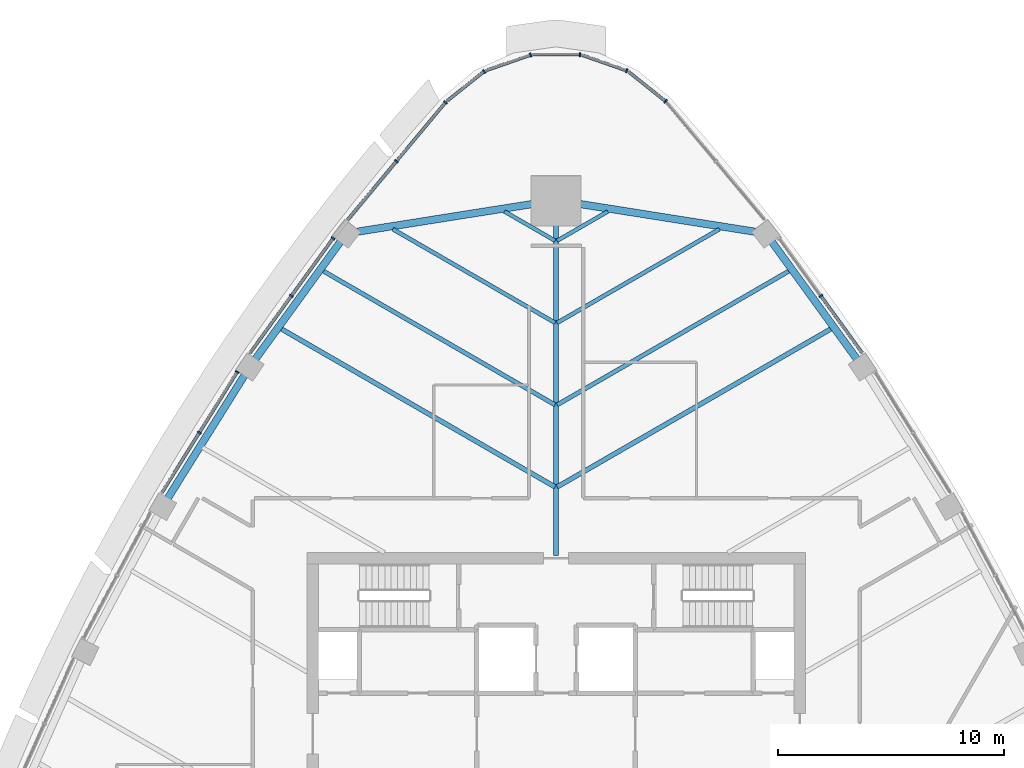
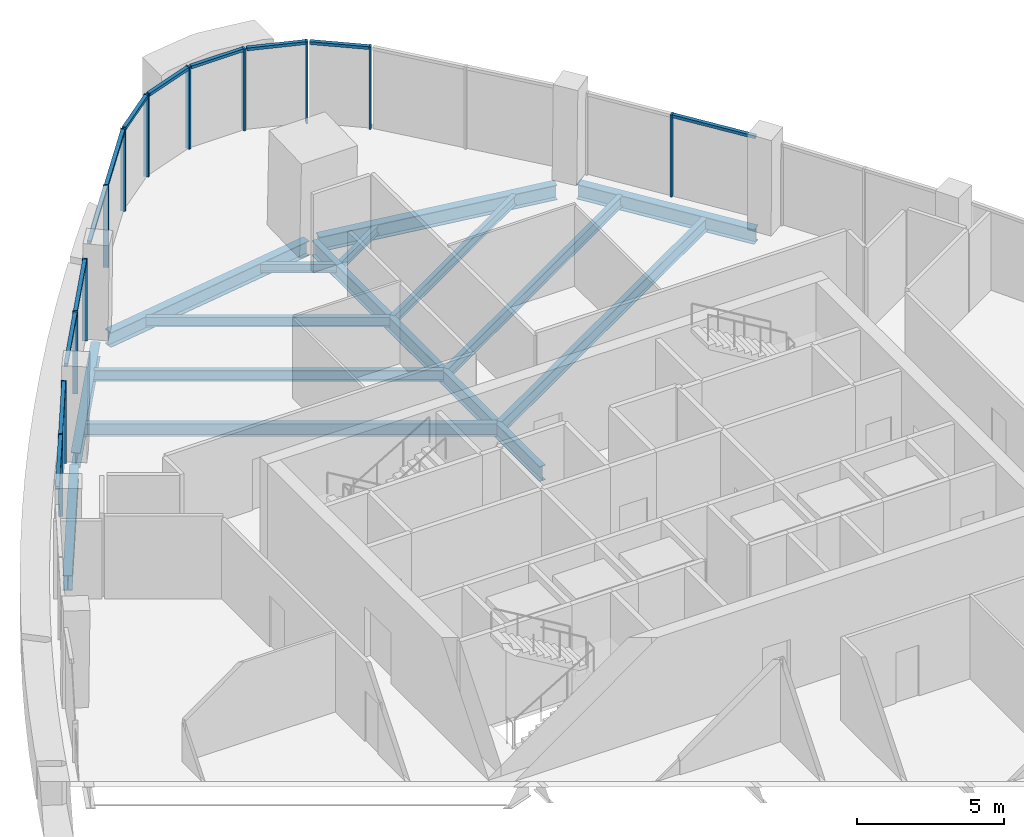
# One storey, part 5 of 15: 24 members, 14 beams, 9 elements without a shape of their own.
"""IFC4 building model written with IfcOpenShell, lengths in metres."""

from ifc_helpers import new_model, si_unit, direction, frame, origin, origin_2d, place, context, subcontext, project, spatial, rectangle, i_section, extrude, material, layer, layer_set, material_profile, profile_set, type_object, element, aggregate, save


model = new_model("IFC4")

# Units and contexts
model_context = context("Model", 3, precision=1e-05, world=origin(), true_north=direction((0.0, 1.0)))
body_context = subcontext(model_context, "Body", "Model", "MODEL_VIEW")
ifc_project = project(units=[si_unit("LENGTHUNIT", "METRE"), si_unit("AREAUNIT", "SQUARE_METRE"), si_unit("VOLUMEUNIT", "CUBIC_METRE"), si_unit("PLANEANGLEUNIT", "RADIAN"), si_unit("MASSUNIT", "GRAM", prefix="KILO")], contexts=[model_context])

# Site, building, storey
site_placement = place(None, origin())
site = spatial("IfcSite", under=ifc_project, at=site_placement, CompositionType="ELEMENT")
building_placement = place(site_placement, origin())
building = spatial("IfcBuilding", under=site, at=building_placement, Name="Sierra Prisma Convention Tower", CompositionType="ELEMENT")
storey_placement = place(building_placement, frame((0.0, 0.0, 299.0)))
storey = spatial("IfcBuildingStorey", under=building, at=storey_placement, Name="L68", CompositionType="ELEMENT", Elevation=299.0)

# Curtain wall, member
ifc_material_1 = material(Name="Aluminium and glass curtain wall", Category="aluminium")
ifc_layer = layer(ifc_material_1, 0.179931640625)
ifc_layer_set = layer_set([ifc_layer], Name="CW-1 Plain shaft curtain wall")
curtain_wall_type = type_object("IfcCurtainWallType", Name="CW-1 Plain shaft curtain wall", PredefinedType="NOTDEFINED", material=ifc_layer_set)
curtain_wall_1_placement = place(storey_placement, origin())
curtain_wall_1 = element("IfcCurtainWall", 1, at=curtain_wall_1_placement, inside=storey, type_object=curtain_wall_type, Name="CW-1 NE5 L68", PredefinedType="NOTDEFINED")
ifc_material_2 = material(Name="Aluminium 6063-T6 bronze anodised", Category="aluminium")
ifc_material_profile_1 = material_profile(ifc_material_2, rectangle(XDim=0.179931640625, YDim=0.070068359375, at=origin_2d()), Name="ALU MULLION 70x180")
ifc_profile_set_1 = profile_set([ifc_material_profile_1], Name="Aluminium 6063-T6 bronze anodised")
member_type_1 = type_object("IfcMemberType", Name="CW mullion bronze", PredefinedType="MULLION", material=ifc_profile_set_1)
member_1_placement = place(storey_placement, frame((11.6884765625, 19.3349609375, 0.0), z_axis=(0.0, 0.0, 1.0), x_axis=(-0.809810631471, -0.586691350845, 0.0)))
member_1 = element("IfcMember", 2, at=member_1_placement, type_object=member_type_1, Name="CW-1 mullion NE5.2", PredefinedType="MULLION", context=body_context, shape_type="SweptSolid", body=[
    extrude(rectangle(XDim=0.179931640625, YDim=0.070068359375, at=origin_2d()), origin(), (0.0, 0.0, 1.0), 3.39990234375),
])

curtain_wall_2_placement = place(storey_placement, origin())
curtain_wall_2 = element("IfcCurtainWall", 3, at=curtain_wall_2_placement, inside=storey, type_object=curtain_wall_type, Name="CW-1 N1 L68", PredefinedType="NOTDEFINED")
member_2_placement = place(storey_placement, frame((4.830810546875, 27.928466796875, 0.0), z_axis=(0.0, 0.0, 1.0), x_axis=(-0.622840952225, -0.782348482603, 0.0)))
member_2 = element("IfcMember", 4, at=member_2_placement, type_object=member_type_1, Name="CW-1 mullion N1.1", PredefinedType="MULLION", context=body_context, shape_type="SweptSolid", body=[
    extrude(rectangle(XDim=0.179931640625, YDim=0.070068359375, at=origin_2d()), origin(), (0.0, 0.0, 1.0), 3.39990234375),
])

curtain_wall_3_placement = place(storey_placement, origin())
curtain_wall_3 = element("IfcCurtainWall", 5, at=curtain_wall_3_placement, inside=storey, type_object=curtain_wall_type, Name="CW-1 N2 L68", PredefinedType="NOTDEFINED")
member_3_placement = place(storey_placement, frame((3.117919921875, 29.27734375, 0.0), z_axis=(0.0, 0.0, 1.0), x_axis=(-0.329887494001, -0.944020254709, 0.0)))
member_3 = element("IfcMember", 6, at=member_3_placement, type_object=member_type_1, Name="CW-1 mullion N2.1", PredefinedType="MULLION", context=body_context, shape_type="SweptSolid", body=[
    extrude(rectangle(XDim=0.179931640625, YDim=0.070068359375, at=origin_2d()), origin(), (0.0, 0.0, 1.0), 3.39990234375),
])

curtain_wall_4_placement = place(storey_placement, origin())
curtain_wall_4 = element("IfcCurtainWall", 7, at=curtain_wall_4_placement, inside=storey, type_object=curtain_wall_type, Name="CW-1 N3 L68", PredefinedType="NOTDEFINED")
member_4_placement = place(storey_placement, frame((1.05615234375, 29.985595703125, 0.0), z_axis=(0.0, 0.0, 1.0), x_axis=(0.0, -1.0, 0.0)))
member_4 = element("IfcMember", 8, at=member_4_placement, type_object=member_type_1, Name="CW-1 mullion N3.1", PredefinedType="MULLION", context=body_context, shape_type="SweptSolid", body=[
    extrude(rectangle(XDim=0.179931640625, YDim=0.070068359375, at=origin_2d()), origin(), (0.0, 0.0, 1.0), 3.39990234375),
])

curtain_wall_5_placement = place(storey_placement, origin())
curtain_wall_5 = element("IfcCurtainWall", 9, at=curtain_wall_5_placement, inside=storey, type_object=curtain_wall_type, Name="CW-1 N4 L68", PredefinedType="NOTDEFINED")
member_5_placement = place(storey_placement, frame((-1.1240234375, 29.97412109375, 0.0), z_axis=(0.0, 0.0, 1.0), x_axis=(0.329887494001, -0.944020254709, 0.0)))
member_5 = element("IfcMember", 10, at=member_5_placement, type_object=member_type_1, Name="CW-1 mullion N4.1", PredefinedType="MULLION", context=body_context, shape_type="SweptSolid", body=[
    extrude(rectangle(XDim=0.179931640625, YDim=0.070068359375, at=origin_2d()), origin(), (0.0, 0.0, 1.0), 3.39990234375),
])

curtain_wall_6_placement = place(storey_placement, origin())
curtain_wall_6 = element("IfcCurtainWall", 11, at=curtain_wall_6_placement, inside=storey, type_object=curtain_wall_type, Name="CW-1 N5 L68", PredefinedType="NOTDEFINED")
member_6_placement = place(storey_placement, frame((-3.178466796875, 29.243896484375, 0.0), z_axis=(0.0, 0.0, 1.0), x_axis=(0.622840952225, -0.782348482603, 0.0)))
member_6 = element("IfcMember", 12, at=member_6_placement, type_object=member_type_1, Name="CW-1 mullion N5.1", PredefinedType="MULLION", context=body_context, shape_type="SweptSolid", body=[
    extrude(rectangle(XDim=0.179931640625, YDim=0.070068359375, at=origin_2d()), origin(), (0.0, 0.0, 1.0), 3.39990234375),
])

# Curtain wall, members
curtain_wall_7_placement = place(storey_placement, origin())
curtain_wall_7 = element("IfcCurtainWall", 13, at=curtain_wall_7_placement, inside=storey, type_object=curtain_wall_type, Name="CW-1 NW1 L68", PredefinedType="NOTDEFINED")
member_7_placement = place(storey_placement, frame((-4.880615234375, 27.879638671875, 0.0), z_axis=(0.0, 0.0, 1.0), x_axis=(0.767490349258, -0.641060499326, 0.0)))
member_7 = element("IfcMember", 14, at=member_7_placement, type_object=member_type_1, Name="CW-1 mullion NW1.1", PredefinedType="MULLION", context=body_context, shape_type="SweptSolid", body=[
    extrude(rectangle(XDim=0.179931640625, YDim=0.070068359375, at=origin_2d()), origin(), (0.0, 0.0, 1.0), 3.39990234375),
])
member_8_placement = place(storey_placement, frame((-7.052734375, 25.279296875, 0.0), z_axis=(0.0, 0.0, 1.0), x_axis=(0.767490349258, -0.641060499326, 0.0)))
member_8 = element("IfcMember", 15, at=member_8_placement, type_object=member_type_1, Name="CW-1 mullion NW1.2", PredefinedType="MULLION", context=body_context, shape_type="SweptSolid", body=[
    extrude(rectangle(XDim=0.179931640625, YDim=0.070068359375, at=origin_2d()), origin(), (0.0, 0.0, 1.0), 3.39990234375),
])

curtain_wall_8_placement = place(storey_placement, origin())
curtain_wall_8 = element("IfcCurtainWall", 16, at=curtain_wall_8_placement, inside=storey, type_object=curtain_wall_type, Name="CW-1 NW2 L68", PredefinedType="NOTDEFINED")
member_9_placement = place(storey_placement, frame((-9.845947265625, 21.87841796875, 0.0), z_axis=(0.0, 0.0, 1.0), x_axis=(0.809810631471, -0.586691350845, 0.0)))
member_9 = element("IfcMember", 17, at=member_9_placement, type_object=member_type_1, Name="CW-1 mullion NW2.1", PredefinedType="MULLION", context=body_context, shape_type="SweptSolid", body=[
    extrude(rectangle(XDim=0.179931640625, YDim=0.070068359375, at=origin_2d()), origin(), (0.0, 0.0, 1.0), 3.39990234375),
])
member_10_placement = place(storey_placement, frame((-11.68896484375, 19.334228515625, 0.0), z_axis=(0.0, 0.0, 1.0), x_axis=(0.809810631471, -0.586691350845, 0.0)))
member_10 = element("IfcMember", 18, at=member_10_placement, type_object=member_type_1, Name="CW-1 mullion NW2.2", PredefinedType="MULLION", context=body_context, shape_type="SweptSolid", body=[
    extrude(rectangle(XDim=0.179931640625, YDim=0.070068359375, at=origin_2d()), origin(), (0.0, 0.0, 1.0), 3.39990234375),
])

curtain_wall_9_placement = place(storey_placement, origin())
curtain_wall_9 = element("IfcCurtainWall", 19, at=curtain_wall_9_placement, inside=storey, type_object=curtain_wall_type, Name="CW-1 NW3 L68", PredefinedType="NOTDEFINED")
member_11_placement = place(storey_placement, frame((-14.079833984375, 15.975830078125, 0.0), z_axis=(0.0, 0.0, 1.0), x_axis=(0.848286734038, -0.529537172307, 0.0)))
member_11 = element("IfcMember", 20, at=member_11_placement, type_object=member_type_1, Name="CW-1 mullion NW3.1", PredefinedType="MULLION", context=body_context, shape_type="SweptSolid", body=[
    extrude(rectangle(XDim=0.179931640625, YDim=0.070068359375, at=origin_2d()), origin(), (0.0, 0.0, 1.0), 3.39990234375),
])
member_12_placement = place(storey_placement, frame((-15.751708984375, 13.297607421875, 0.0), z_axis=(0.0, 0.0, 1.0), x_axis=(0.848286734038, -0.529537172307, 0.0)))
member_12 = element("IfcMember", 21, at=member_12_placement, type_object=member_type_1, Name="CW-1 mullion NW3.2", PredefinedType="MULLION", context=body_context, shape_type="SweptSolid", body=[
    extrude(rectangle(XDim=0.179931640625, YDim=0.070068359375, at=origin_2d()), origin(), (0.0, 0.0, 1.0), 3.39990234375),
])

# Member
ifc_material_3 = material(Name="Aluminium 6063-T6 bronze anodised", Category="aluminium")
ifc_material_profile_2 = material_profile(ifc_material_3, rectangle(XDim=0.139892578125, YDim=0.1201171875, at=origin_2d()), Name="ALU TRANSOM 120x140")
ifc_profile_set_2 = profile_set([ifc_material_profile_2], Name="Aluminium 6063-T6 bronze anodised")
member_type_2 = type_object("IfcMemberType", Name="CW transom bronze", PredefinedType="USERDEFINED", material=ifc_profile_set_2)
member_13_placement = place(storey_placement, frame((13.511474609375, 16.818603515625, 3.340087890625), z_axis=(-0.586682363305, 0.809817142685, 0.0), x_axis=(-0.809817142685, -0.586682363305, 0.0)))
member_13 = element("IfcMember", 22, at=member_13_placement, type_object=member_type_2, Name="CW-1 transom NE5.1", ObjectType="TRANSOM", PredefinedType="USERDEFINED", context=body_context, shape_type="SweptSolid", body=[
    extrude(rectangle(XDim=0.139892578125, YDim=0.1201171875, at=origin_2d()), origin(), (0.0, 0.0, 1.0), 3.072265625),
])

aggregate(curtain_wall_1, [member_1, member_13])

member_14_placement = place(storey_placement, frame((4.803466796875, 27.9501953125, 3.340087890625), z_axis=(-0.782336240884, 0.622856328699, 0.0), x_axis=(-0.622856328699, -0.782336240884, 0.0)))
member_14 = element("IfcMember", 23, at=member_14_placement, type_object=member_type_2, Name="CW-1 transom N1.1", ObjectType="TRANSOM", PredefinedType="USERDEFINED", context=body_context, shape_type="SweptSolid", body=[
    extrude(rectangle(XDim=0.139892578125, YDim=0.1201171875, at=origin_2d()), origin(), (0.0, 0.0, 1.0), 2.042236328125),
])

aggregate(curtain_wall_2, [member_2, member_14])

member_15_placement = place(storey_placement, frame((3.0849609375, 29.288818359375, 3.340087890625), z_axis=(-0.944029711009, 0.329860432203, 0.0), x_axis=(-0.329860432203, -0.944029711009, 0.0)))
member_15 = element("IfcMember", 24, at=member_15_placement, type_object=member_type_2, Name="CW-1 transom N2.1", ObjectType="TRANSOM", PredefinedType="USERDEFINED", context=body_context, shape_type="SweptSolid", body=[
    extrude(rectangle(XDim=0.139892578125, YDim=0.1201171875, at=origin_2d()), origin(), (0.0, 0.0, 1.0), 2.0419921875),
])

aggregate(curtain_wall_3, [member_3, member_15])

member_16_placement = place(storey_placement, frame((1.02099609375, 29.985595703125, 3.340087890625), z_axis=(-1.0, 0.0, 0.0), x_axis=(0.0, -1.0, 0.0)))
member_16 = element("IfcMember", 25, at=member_16_placement, type_object=member_type_2, Name="CW-1 transom N3.1", ObjectType="TRANSOM", PredefinedType="USERDEFINED", context=body_context, shape_type="SweptSolid", body=[
    extrude(rectangle(XDim=0.139892578125, YDim=0.1201171875, at=origin_2d()), origin(), (0.0, 0.0, 1.0), 2.0419921875),
])

aggregate(curtain_wall_4, [member_4, member_16])

member_17_placement = place(storey_placement, frame((-1.1572265625, 29.96240234375, 3.340087890625), z_axis=(-0.944029711009, -0.329860432203, 0.0), x_axis=(0.329860432203, -0.944029711009, 0.0)))
member_17 = element("IfcMember", 26, at=member_17_placement, type_object=member_type_2, Name="CW-1 transom N4.1", ObjectType="TRANSOM", PredefinedType="USERDEFINED", context=body_context, shape_type="SweptSolid", body=[
    extrude(rectangle(XDim=0.139892578125, YDim=0.1201171875, at=origin_2d()), origin(), (0.0, 0.0, 1.0), 2.0419921875),
])

aggregate(curtain_wall_5, [member_5, member_17])

member_18_placement = place(storey_placement, frame((-3.205810546875, 29.22216796875, 3.340087890625), z_axis=(-0.782336240884, -0.622856328699, 0.0), x_axis=(0.622856328699, -0.782336240884, 0.0)))
member_18 = element("IfcMember", 27, at=member_18_placement, type_object=member_type_2, Name="CW-1 transom N5.1", ObjectType="TRANSOM", PredefinedType="USERDEFINED", context=body_context, shape_type="SweptSolid", body=[
    extrude(rectangle(XDim=0.139892578125, YDim=0.1201171875, at=origin_2d()), origin(), (0.0, 0.0, 1.0), 2.042236328125),
])

aggregate(curtain_wall_6, [member_6, member_18])

member_19_placement = place(storey_placement, frame((-4.903076171875, 27.852783203125, 3.340087890625), z_axis=(-0.641074127819, -0.767478965601, 0.0), x_axis=(0.767478965601, -0.641074127819, 0.0)))
member_19 = element("IfcMember", 28, at=member_19_placement, type_object=member_type_2, Name="CW-1 transom NW1.1", ObjectType="TRANSOM", PredefinedType="USERDEFINED", context=body_context, shape_type="SweptSolid", body=[
    extrude(rectangle(XDim=0.139892578125, YDim=0.1201171875, at=origin_2d()), origin(), (0.0, 0.0, 1.0), 3.318115234375),
])

member_20_placement = place(storey_placement, frame((-7.0751953125, 25.25244140625, 3.340087890625), z_axis=(-0.641037928592, -0.767509201317, 0.0), x_axis=(0.767509201317, -0.641037928592, 0.0)))
member_20 = element("IfcMember", 29, at=member_20_placement, type_object=member_type_2, Name="CW-1 transom NW1.2", ObjectType="TRANSOM", PredefinedType="USERDEFINED", context=body_context, shape_type="SweptSolid", body=[
    extrude(rectangle(XDim=0.139892578125, YDim=0.1201171875, at=origin_2d()), origin(), (0.0, 0.0, 1.0), 3.318359375),
])

aggregate(curtain_wall_7, [member_7, member_8, member_19, member_20])

member_21_placement = place(storey_placement, frame((-9.866455078125, 21.85009765625, 3.340087890625), z_axis=(-0.586653638548, -0.809837951925, 0.0), x_axis=(0.809837951925, -0.586653638548, 0.0)))
member_21 = element("IfcMember", 30, at=member_21_placement, type_object=member_type_2, Name="CW-1 transom NW2.1", ObjectType="TRANSOM", PredefinedType="USERDEFINED", context=body_context, shape_type="SweptSolid", body=[
    extrude(rectangle(XDim=0.139892578125, YDim=0.1201171875, at=origin_2d()), origin(), (0.0, 0.0, 1.0), 3.07177734375),
])

member_22_placement = place(storey_placement, frame((-11.70947265625, 19.305908203125, 3.340087890625), z_axis=(-0.586691401599, -0.809810594701, 0.0), x_axis=(0.809810594701, -0.586691401599, 0.0)))
member_22 = element("IfcMember", 31, at=member_22_placement, type_object=member_type_2, Name="CW-1 transom NW2.2", ObjectType="TRANSOM", PredefinedType="USERDEFINED", context=body_context, shape_type="SweptSolid", body=[
    extrude(rectangle(XDim=0.139892578125, YDim=0.1201171875, at=origin_2d()), origin(), (0.0, 0.0, 1.0), 3.071533203125),
])

aggregate(curtain_wall_8, [member_9, member_10, member_21, member_22])

member_23_placement = place(storey_placement, frame((-14.098388671875, 15.9462890625, 3.340087890625), z_axis=(-0.529522596713, -0.848295832578, 0.0), x_axis=(0.848295832578, -0.529522596713, 0.0)))
member_23 = element("IfcMember", 32, at=member_23_placement, type_object=member_type_2, Name="CW-1 transom NW3.1", ObjectType="TRANSOM", PredefinedType="USERDEFINED", context=body_context, shape_type="SweptSolid", body=[
    extrude(rectangle(XDim=0.139892578125, YDim=0.1201171875, at=origin_2d()), origin(), (0.0, 0.0, 1.0), 3.087158203125),
])

member_24_placement = place(storey_placement, frame((-15.770263671875, 13.267822265625, 3.340087890625), z_axis=(-0.529579499881, -0.848260309873, 0.0), x_axis=(0.848260309873, -0.529579499881, 0.0)))
member_24 = element("IfcMember", 33, at=member_24_placement, type_object=member_type_2, Name="CW-1 transom NW3.2", ObjectType="TRANSOM", PredefinedType="USERDEFINED", context=body_context, shape_type="SweptSolid", body=[
    extrude(rectangle(XDim=0.139892578125, YDim=0.1201171875, at=origin_2d()), origin(), (0.0, 0.0, 1.0), 3.08740234375),
])

aggregate(curtain_wall_9, [member_11, member_12, member_23, member_24])

# Beams
ifc_material_4 = material(Name="Steel ASTM A992 Gr 50", Category="steel")
ifc_material_profile_3 = material_profile(ifc_material_4, i_section(OverallWidth=0.172119140625, OverallDepth=0.35791015625, WebThickness=0.0078125, FlangeThickness=0.01318359375, at=origin_2d()), Name="W360x57")
ifc_profile_set_3 = profile_set([ifc_material_profile_3], Name="Steel ASTM A992 Gr 50")
beam_type_1 = type_object("IfcBeamType", Name="Floor joist W360x57", PredefinedType="JOIST", material=ifc_profile_set_3)
for number, where, z_axis, x_axis, name in (
    (34, (2.283203125, 23.062255859375, -0.3291015625), (-0.866018769109, -0.500011491418, 0.0), (0.500011491418, -0.866018769109, 0.0), "Floor joist L68 NE13"),
    (35, (-2.283203125, 23.062255859375, -0.3291015625), (0.866018769109, -0.500011491418, 0.0), (0.500011491418, 0.866018769109, 0.0), "Floor joist L68 NW01"),
):
    element("IfcBeam", number, at=place(storey_placement, frame(where, z_axis=z_axis, x_axis=x_axis)), inside=storey, type_object=beam_type_1, Name=name, PredefinedType="JOIST", context=body_context, shape_type="SweptSolid", body=[
        extrude(i_section(OverallWidth=0.172119140625, OverallDepth=0.35791015625, WebThickness=0.0078125, FlangeThickness=0.01318359375, at=origin_2d()), origin(), (0.0, 0.0, 1.0), 2.58349609375),
    ])
ifc_material_5 = material(Name="Steel ASTM A992 Gr 50", Category="steel")
ifc_material_profile_4 = material_profile(ifc_material_5, i_section(OverallWidth=0.177978515625, OverallDepth=0.406982421875, WebThickness=0.0078125, FlangeThickness=0.0126953125, at=origin_2d()), Name="W410x60")
ifc_profile_set_4 = profile_set([ifc_material_profile_4], Name="Steel ASTM A992 Gr 50")
beam_type_2 = type_object("IfcBeamType", Name="Floor joist W410x60", PredefinedType="JOIST", material=ifc_profile_set_4)
for number, where, z_axis, x_axis, name in (
    (36, (7.21044921875, 22.282958984375, -0.353515625), (-0.866024394272, -0.500001748523, 0.0), (0.500001748523, -0.866024394272, 0.0), "Floor joist L68 NE12"),
    (37, (-7.21044921875, 22.282958984375, -0.353515625), (0.866024394272, -0.500001748523, 0.0), (0.500001748523, 0.866024394272, 0.0), "Floor joist L68 NW02"),
):
    element("IfcBeam", number, at=place(storey_placement, frame(where, z_axis=z_axis, x_axis=x_axis)), inside=storey, type_object=beam_type_2, Name=name, PredefinedType="JOIST", context=body_context, shape_type="SweptSolid", body=[
        extrude(i_section(OverallWidth=0.177978515625, OverallDepth=0.406982421875, WebThickness=0.0078125, FlangeThickness=0.0126953125, at=origin_2d()), origin(), (0.0, 0.0, 1.0), 8.27294921875),
    ])
ifc_material_6 = material(Name="Steel ASTM A992 Gr 50", Category="steel")
ifc_material_profile_5 = material_profile(ifc_material_6, i_section(OverallWidth=0.18994140625, OverallDepth=0.45703125, WebThickness=0.009033203125, FlangeThickness=0.014404296875, at=origin_2d()), Name="W460x74")
ifc_profile_set_5 = profile_set([ifc_material_profile_5], Name="Steel ASTM A992 Gr 50")
beam_type_3 = type_object("IfcBeamType", Name="Floor joist W460x74", PredefinedType="JOIST", material=ifc_profile_set_5)
for number, where, z_axis, x_axis, name in (
    (38, (10.310546875, 20.44873046875, -0.37841796875), (-0.866026426978, -0.499998227772, 0.0), (0.499998227772, -0.866026426978, 0.0), "Floor joist L68 NE11"),
    (39, (-10.310546875, 20.44873046875, -0.37841796875), (0.866026426978, -0.499998227772, 0.0), (0.499998227772, 0.866026426978, 0.0), "Floor joist L68 NW03"),
):
    element("IfcBeam", number, at=place(storey_placement, frame(where, z_axis=z_axis, x_axis=x_axis)), inside=storey, type_object=beam_type_3, Name=name, PredefinedType="JOIST", context=body_context, shape_type="SweptSolid", body=[
        extrude(i_section(OverallWidth=0.18994140625, OverallDepth=0.45703125, WebThickness=0.009033203125, FlangeThickness=0.014404296875, at=origin_2d()), origin(), (0.0, 0.0, 1.0), 11.8525390625),
    ])
ifc_material_7 = material(Name="Steel ASTM A992 Gr 50", Category="steel")
ifc_material_profile_6 = material_profile(ifc_material_7, i_section(OverallWidth=0.208984375, OverallDepth=0.532958984375, WebThickness=0.01025390625, FlangeThickness=0.015625, at=origin_2d()), Name="W530x92")
ifc_profile_set_6 = profile_set([ifc_material_profile_6], Name="Steel ASTM A992 Gr 50")
beam_type_4 = type_object("IfcBeamType", Name="Floor joist W530x92", PredefinedType="JOIST", material=ifc_profile_set_6)
for number, where, z_axis, x_axis, name in (
    (40, (12.16162109375, 17.8935546875, -0.41650390625), (-0.866029820249, -0.49999235038, 0.0), (0.49999235038, -0.866029820249, 0.0), "Floor joist L68 NE10"),
    (41, (-12.16162109375, 17.8935546875, -0.41650390625), (0.866029820249, -0.49999235038, 0.0), (0.49999235038, 0.866029820249, 0.0), "Floor joist L68 NW04"),
):
    element("IfcBeam", number, at=place(storey_placement, frame(where, z_axis=z_axis, x_axis=x_axis)), inside=storey, type_object=beam_type_4, Name=name, PredefinedType="JOIST", context=body_context, shape_type="SweptSolid", body=[
        extrude(i_section(OverallWidth=0.208984375, OverallDepth=0.532958984375, WebThickness=0.01025390625, FlangeThickness=0.015625, at=origin_2d()), origin(), (0.0, 0.0, 1.0), 13.989990234375),
    ])
ifc_material_8 = material(Name="Steel ASTM A992 Gr 50", Category="steel")
ifc_material_profile_7 = material_profile(ifc_material_8, i_section(OverallWidth=0.22998046875, OverallDepth=0.616943359375, WebThickness=0.01318359375, FlangeThickness=0.022216796875, at=origin_2d()), Name="W610x140")
ifc_profile_set_7 = profile_set([ifc_material_profile_7], Name="Steel ASTM A992 Gr 50")
beam_type_5 = type_object("IfcBeamType", Name="Radial girder W610x140", PredefinedType="BEAM", material=ifc_profile_set_7)
beam_1_placement = place(storey_placement, frame((0.0, 23.3359375, -0.45849609375), z_axis=(0.0, -1.0, 0.0), x_axis=(1.0, 0.0, 0.0)))
element("IfcBeam", 42, at=beam_1_placement, inside=storey, type_object=beam_type_5, Name="Radial girder L68 N", PredefinedType="BEAM", context=body_context, shape_type="SweptSolid", body=[
    extrude(i_section(OverallWidth=0.22998046875, OverallDepth=0.616943359375, WebThickness=0.01318359375, FlangeThickness=0.022216796875, at=origin_2d()), origin(), (0.0, 0.0, 1.0), 15.4560546875),
])
ifc_material_9 = material(Name="Steel ASTM A992 Gr 50", Category="steel")
ifc_material_profile_8 = material_profile(ifc_material_9, i_section(OverallWidth=0.324951171875, OverallDepth=0.615966796875, WebThickness=0.013916015625, FlangeThickness=0.021484375, at=origin_2d()), Name="W610x174")
ifc_profile_set_8 = profile_set([ifc_material_profile_8], Name="Steel ASTM A992 Gr 50")
beam_type_6 = type_object("IfcBeamType", Name="Spandrel beam W610x174", PredefinedType="BEAM", material=ifc_profile_set_8)
beam_2_placement = place(storey_placement, frame((13.33251953125, 16.469482421875, -0.4580078125), z_axis=(-0.586684366357, 0.809815691545, 0.0), x_axis=(-0.809815691545, -0.586684366357, 0.0)))
element("IfcBeam", 43, at=beam_2_placement, inside=storey, type_object=beam_type_6, Name="Spandrel L68-11", PredefinedType="BEAM", context=body_context, shape_type="SweptSolid", body=[
    extrude(i_section(OverallWidth=0.324951171875, OverallDepth=0.615966796875, WebThickness=0.013916015625, FlangeThickness=0.021484375, at=origin_2d()), origin(), (0.0, 0.0, 1.0), 6.612060546875),
])
for number, where, z_axis, x_axis, name in (
    (44, (8.769287109375, 22.1689453125, -0.4580078125), (-0.987720161693, 0.156233422115, 0.0), (-0.156233422115, -0.987720161693, 0.0), "Spandrel L68-12"),
    (45, (-0.219970703125, 23.521240234375, -0.4580078125), (-0.987720161693, -0.156233422115, 0.0), (0.156233422115, -0.987720161693, 0.0), "Spandrel L68-13"),
):
    element("IfcBeam", number, at=place(storey_placement, frame(where, z_axis=z_axis, x_axis=x_axis)), inside=storey, type_object=beam_type_6, Name=name, PredefinedType="BEAM", context=body_context, shape_type="SweptSolid", body=[
        extrude(i_section(OverallWidth=0.324951171875, OverallDepth=0.615966796875, WebThickness=0.013916015625, FlangeThickness=0.021484375, at=origin_2d()), origin(), (0.0, 0.0, 1.0), 8.655517578125),
    ])
for number, where, z_axis, x_axis, name in (
    (46, (-9.453369140625, 21.823974609375, -0.4580078125), (-0.586684366357, -0.809815691545, 0.0), (0.809815691545, -0.586684366357, 0.0), "Spandrel L68-14"),
    (47, (-13.701171875, 15.921875, -0.4580078125), (-0.52952755813, -0.848292735547, 0.0), (0.848292735547, -0.52952755813, 0.0), "Spandrel L68-15"),
):
    element("IfcBeam", number, at=place(storey_placement, frame(where, z_axis=z_axis, x_axis=x_axis)), inside=storey, type_object=beam_type_6, Name=name, PredefinedType="BEAM", context=body_context, shape_type="SweptSolid", body=[
        extrude(i_section(OverallWidth=0.324951171875, OverallDepth=0.615966796875, WebThickness=0.013916015625, FlangeThickness=0.021484375, at=origin_2d()), origin(), (0.0, 0.0, 1.0), 6.612060546875),
    ])

save(model, "model.ifc")
